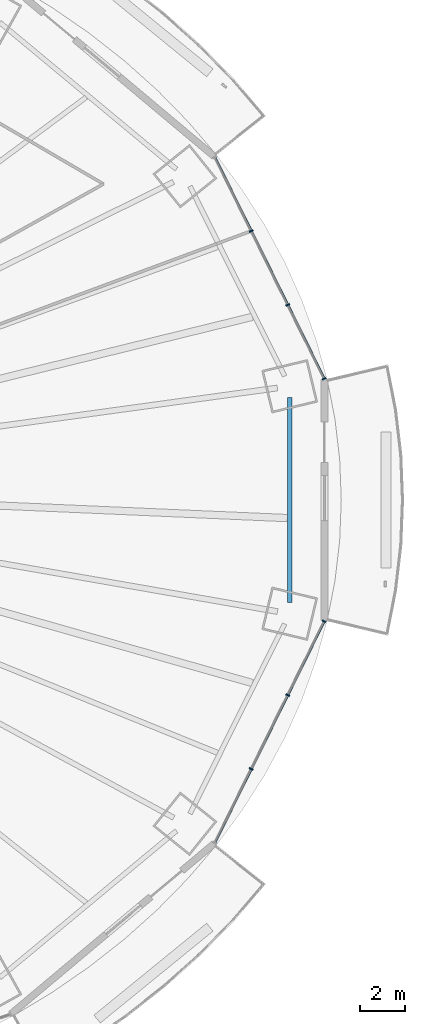
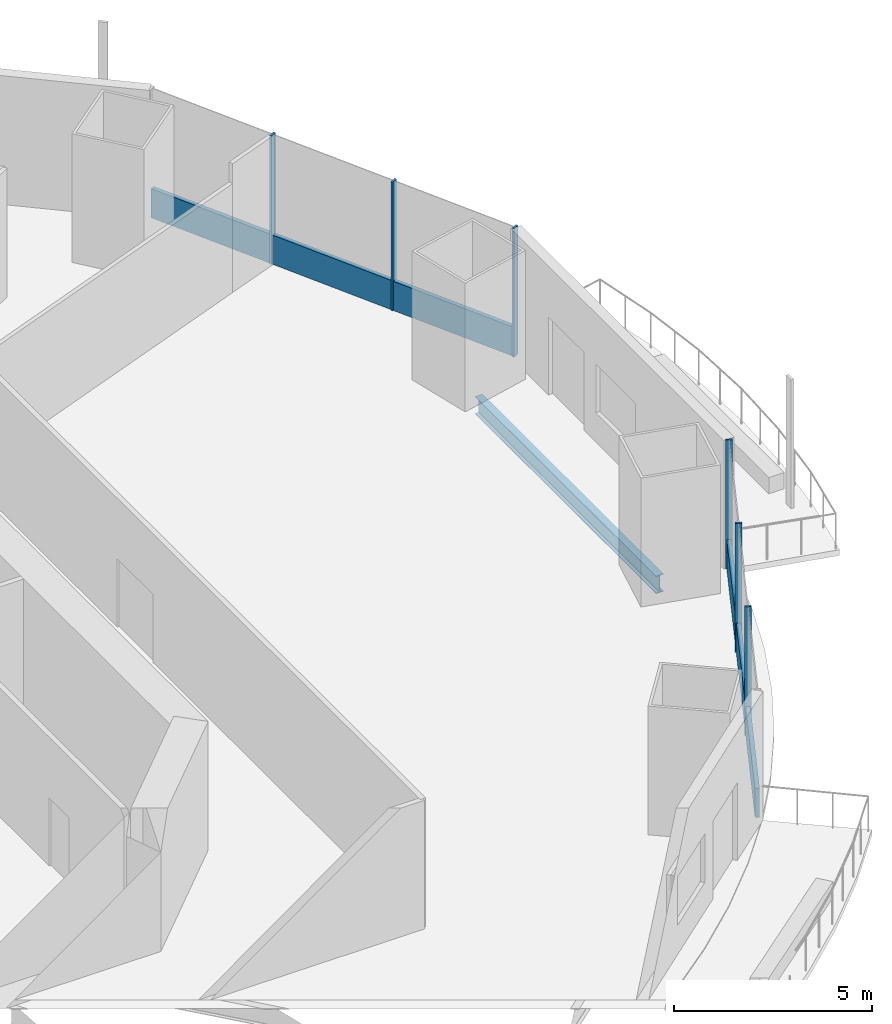
# One storey, part 10 of 21: 8 members, 1 beam, 2 elements without a shape of their own.
"""IFC4 building model written with IfcOpenShell, lengths in metres."""

import ifcopenshell
import ifcopenshell.guid

model = None  # the IFC model being written
_history = None  # IfcOwnerHistory: only IFC2X3 demands one
_inside = {}  # id of a spatial element -> (the spatial element, [elements in it])
_under = {}  # id of a project, library or spatial element -> (it, [spatial elements below it])
_declared = {}  # id of a project -> (the project, [libraries it declares])
_typed = {}  # id of a type object -> (the type object, [elements of that type])
_made_of = {}  # id of a material, layer set ... -> (it, [elements and type objects made of it])


def new_model(schema):
    """Start an empty IFC model of exactly this schema.

    Asked for "IFC4X3", IfcOpenShell would pick the latest addendum, in which some entities
    have other attributes; the version numbers below select the first issue.
    IFC2X3 requires an IfcOwnerHistory on every rooted entity: one is made here for all.
    """
    global model, _history
    if schema == "IFC4X3":
        model = ifcopenshell.file(schema_version=(4, 3, 0, 0))
    else:
        model = ifcopenshell.file(schema=schema)
    _inside.clear()
    _under.clear()
    _declared.clear()
    _typed.clear()
    _made_of.clear()
    _history = None
    if model.schema == "IFC2X3":
        org = make("IfcOrganization", Name="unknown")
        user = make(
            "IfcPersonAndOrganization",
            ThePerson=make("IfcPerson", FamilyName="unknown"),
            TheOrganization=org,
        )
        app = make(
            "IfcApplication",
            ApplicationDeveloper=org,
            Version="unknown",
            ApplicationFullName="unknown",
            ApplicationIdentifier="unknown",
        )
        _history = make(
            "IfcOwnerHistory",
            OwningUser=user,
            OwningApplication=app,
            ChangeAction="ADDED",
            CreationDate=0,
        )
    return model


def make(cls, **values):
    """One entity of the class cls with the attributes given. An attribute that is None is left unset."""
    return model.create_entity(
        cls, **{name: value for name, value in values.items() if value is not None}
    )


def rooted(cls, **values):
    """An entity with a GlobalId (a new one), such as an element, a storey or a relation."""
    return make(cls, GlobalId=ifcopenshell.guid.new(), OwnerHistory=_history, **values)


def si_unit(unit_type, name, prefix=None):
    """IfcSIUnit, for example si_unit("LENGTHUNIT", "METRE", prefix="MILLI")."""
    return make("IfcSIUnit", UnitType=unit_type, Prefix=prefix, Name=name)


def assignment(units):
    """IfcUnitAssignment: the units of a project."""
    return None if units is None else make("IfcUnitAssignment", Units=units)


def point(xyz):
    """IfcCartesianPoint."""
    return None if xyz is None else make("IfcCartesianPoint", Coordinates=xyz)


def direction(xyz):
    """IfcDirection."""
    return None if xyz is None else make("IfcDirection", DirectionRatios=xyz)


def frame(location, z_axis=None, x_axis=None):
    """IfcAxis2Placement3D, a coordinate frame: its origin and axes. An axis left out is left unset."""
    return make(
        "IfcAxis2Placement3D",
        Location=point(location),
        Axis=direction(z_axis),
        RefDirection=direction(x_axis),
    )


def frame_2d(location, x_axis=None):
    """IfcAxis2Placement2D, a coordinate frame in the plane: its origin and x axis."""
    return make(
        "IfcAxis2Placement2D", Location=point(location), RefDirection=direction(x_axis)
    )


def origin():
    """The frame at (0, 0, 0) with its axes left unset."""
    return frame((0.0, 0.0, 0.0))


def origin_2d():
    """The frame at (0, 0) in the plane with its x axis left unset."""
    return frame_2d((0.0, 0.0))


def place(relative_to, where):
    """IfcLocalPlacement: puts the frame where relative to a parent placement (None: the world)."""
    return make(
        "IfcLocalPlacement", PlacementRelTo=relative_to, RelativePlacement=where
    )


def context(
    kind, dimensions, precision=None, world=None, true_north=None, identifier=None
):
    """IfcGeometricRepresentationContext, for example the 3D "Model" context."""
    return make(
        "IfcGeometricRepresentationContext",
        ContextIdentifier=identifier,
        ContextType=kind,
        CoordinateSpaceDimension=dimensions,
        Precision=precision,
        WorldCoordinateSystem=world,
        TrueNorth=true_north,
    )


def subcontext(parent, identifier, kind, view, scale=None):
    """IfcGeometricRepresentationSubContext, for example "Body" below "Model"."""
    return make(
        "IfcGeometricRepresentationSubContext",
        ContextIdentifier=identifier,
        ContextType=kind,
        ParentContext=parent,
        TargetScale=scale,
        TargetView=view,
    )


def project(units=None, contexts=None):
    """IfcProject with its units and contexts."""
    return rooted(
        "IfcProject",
        Name="project",
        RepresentationContexts=contexts,
        UnitsInContext=assignment(units),
    )


def spatial(cls, under=None, at=None, **own):
    """A site, building, storey or space (cls), placed at a placement, below another one or the project."""
    s = rooted(cls, ObjectPlacement=at, **own)
    if under is not None:
        _under.setdefault(under.id(), (under, []))[1].append(s)
    return s


def profile(cls, at=None, kind="AREA", **sizes):
    """A parametric profile (cls). Its sizes go by their IFC names, for example OverallWidth=200.0."""
    return make(cls, ProfileType=kind, Position=at, **sizes)


def rectangle(**sizes):
    """IfcRectangleProfileDef."""
    return profile("IfcRectangleProfileDef", **sizes)


def i_section(**sizes):
    """IfcIShapeProfileDef."""
    return profile("IfcIShapeProfileDef", **sizes)


def extrude(swept, where, along, depth):
    """IfcExtrudedAreaSolid: the profile swept, set in the frame where, extruded along a direction by depth."""
    return make(
        "IfcExtrudedAreaSolid",
        SweptArea=swept,
        Position=where,
        ExtrudedDirection=direction(along),
        Depth=depth,
    )


def shape(context_of_items, identifier, shape_type, items):
    """IfcShapeRepresentation: the items that make up one representation, for example the "Body"."""
    return make(
        "IfcShapeRepresentation",
        ContextOfItems=context_of_items,
        RepresentationIdentifier=identifier,
        RepresentationType=shape_type,
        Items=items,
    )


def material(Name=None, Category=None):
    """IfcMaterial."""
    return make("IfcMaterial", Name=Name, Category=Category)


def material_profile(
    of_material, cross_section, Name=None, Category=None, Priority=None
):
    """IfcMaterialProfile: a cross section and its material."""
    return make(
        "IfcMaterialProfile",
        Name=Name,
        Material=of_material,
        Profile=cross_section,
        Priority=Priority,
        Category=Category,
    )


def profile_set(profiles, Name=None, composite=None):
    """IfcMaterialProfileSet."""
    return make(
        "IfcMaterialProfileSet",
        Name=Name,
        MaterialProfiles=profiles,
        CompositeProfile=composite,
    )


def made_of(thing, what):
    """Note that an element or type object is made of a material, layer set ...; save() writes the relation."""
    if what is not None:
        _made_of.setdefault(what.id(), (what, []))[1].append(thing)
    return thing


def type_object(cls, material=None, **own):
    """A type object (cls), such as IfcWallType, which elements share."""
    return made_of(rooted(cls, **own), material)


def element(
    cls,
    number,
    at=None,
    inside=None,
    cuts=None,
    type_object=None,
    material=None,
    context=None,
    identifier="Body",
    shape_type=None,
    held_by="IfcProductDefinitionShape",
    body=None,
    shapes=None,
    **own,
):
    """One element of the class cls, such as IfcWall. Its Tag is "e" and its number.

    at: its placement. inside: the storey or other place that contains it. cuts: it is an
    opening in that element (IfcRelVoidsElement). A single representation is given by context,
    identifier, shape_type and body (its items); several are given by shapes. held_by: the class
    of the entity that holds the representations. save() writes the other relations.
    """
    e = rooted(cls, Tag="e%d" % number, ObjectPlacement=at, **own)
    if body is not None:
        shapes = [shape(context, identifier, shape_type, body)]
    if shapes is not None:
        e.Representation = make(held_by, Representations=shapes)
    if inside is not None:
        _inside.setdefault(inside.id(), (inside, []))[1].append(e)
    if cuts is not None:
        rooted(
            "IfcRelVoidsElement", RelatingBuildingElement=cuts, RelatedOpeningElement=e
        )
    if type_object is not None:
        _typed.setdefault(type_object.id(), (type_object, []))[1].append(e)
    return made_of(e, material)


def aggregate(whole, parts):
    """IfcRelAggregates: a whole, such as a stair, and the parts it consists of."""
    return rooted("IfcRelAggregates", RelatingObject=whole, RelatedObjects=parts)


def save(model, path):
    """Write the relations noted so far, then the file.

    IfcRelAggregates (storeys below a building ...), IfcRelContainedInSpatialStructure (elements
    in a storey), IfcRelDefinesByType, IfcRelAssociatesMaterial and IfcRelDeclares: one each for
    every whole, place, type object, material and project.
    """
    for whole, parts in _under.values():
        aggregate(whole, parts)
    for where, things in _inside.values():
        rooted(
            "IfcRelContainedInSpatialStructure",
            RelatedElements=things,
            RelatingStructure=where,
        )
    for kind, things in _typed.values():
        rooted("IfcRelDefinesByType", RelatedObjects=things, RelatingType=kind)
    for what, things in _made_of.values():
        rooted("IfcRelAssociatesMaterial", RelatedObjects=things, RelatingMaterial=what)
    for by, libraries in _declared.values():
        rooted("IfcRelDeclares", RelatingContext=by, RelatedDefinitions=libraries)
    model.write(path)


model = new_model("IFC4")

# Units and contexts
model_context = context("Model", 3, precision=1e-05, world=origin(), true_north=direction((0.0, 1.0)))
body_context = subcontext(model_context, "Body", "Model", "MODEL_VIEW")
ifc_project = project(units=[si_unit("LENGTHUNIT", "METRE"), si_unit("AREAUNIT", "SQUARE_METRE"), si_unit("VOLUMEUNIT", "CUBIC_METRE"), si_unit("PLANEANGLEUNIT", "RADIAN"), si_unit("MASSUNIT", "GRAM", prefix="KILO")], contexts=[model_context])

# Site, building, storey
site_placement = place(None, origin())
site = spatial("IfcSite", under=ifc_project, at=site_placement, CompositionType="ELEMENT")
building_placement = place(site_placement, origin())
building = spatial("IfcBuilding", under=site, at=building_placement, Name="Marenthal Gate Tower", CompositionType="ELEMENT")
storey_placement = place(building_placement, frame((0.0, 0.0, 161.050048828125)))
storey = spatial("IfcBuildingStorey", under=building, at=storey_placement, Name="L34", CompositionType="ELEMENT", Elevation=161.050048828125)

# Curtain wall, members
ifc_material_1 = material(Name="Aluminium and glass", Category="aluminium")
curtain_wall_type = type_object("IfcCurtainWallType", Name="Curtain wall typical mid", PredefinedType="NOTDEFINED", material=ifc_material_1)
curtain_wall_1_placement = place(storey_placement, origin())
curtain_wall_1 = element("IfcCurtainWall", 1, at=curtain_wall_1_placement, inside=storey, type_object=curtain_wall_type, Name="Curtain wall L34 bay 1", PredefinedType="NOTDEFINED")
ifc_material_2 = material(Name="Aluminium", Category="aluminium")
ifc_material_profile_1 = material_profile(ifc_material_2, rectangle(XDim=0.179931640625, YDim=0.06005859375, at=origin_2d()), Name="60x180 aluminium mullion")
ifc_profile_set_1 = profile_set([ifc_material_profile_1], Name="Aluminium")
member_type_1 = type_object("IfcMemberType", Name="Mullion 60x180 typical mid", PredefinedType="MULLION", material=ifc_profile_set_1)
member_1_placement = place(storey_placement, frame((34.0537109375, 4.809814453125, 0.0), z_axis=(0.0, 0.0, 1.0), x_axis=(-0.896608747182, -0.442823615536, 0.0)))
member_1 = element("IfcMember", 2, at=member_1_placement, type_object=member_type_1, Name="Mullion L34 bay 1.1", PredefinedType="MULLION", context=body_context, shape_type="SweptSolid", body=[
    extrude(rectangle(XDim=0.179931640625, YDim=0.06005859375, at=origin_2d()), origin(), (0.0, 0.0, 1.0), 3.969970703125),
])
member_2_placement = place(storey_placement, frame((32.425048828125, 8.107421875, 0.0), z_axis=(0.0, 0.0, 1.0), x_axis=(-0.896608747182, -0.442823615536, 0.0)))
member_2 = element("IfcMember", 3, at=member_2_placement, type_object=member_type_1, Name="Mullion L34 bay 1.2", PredefinedType="MULLION", context=body_context, shape_type="SweptSolid", body=[
    extrude(rectangle(XDim=0.179931640625, YDim=0.06005859375, at=origin_2d()), origin(), (0.0, 0.0, 1.0), 3.969970703125),
])
member_3_placement = place(storey_placement, frame((30.79638671875, 11.40478515625, 0.0), z_axis=(0.0, 0.0, 1.0), x_axis=(-0.896608747182, -0.442823615536, 0.0)))
member_3 = element("IfcMember", 4, at=member_3_placement, type_object=member_type_1, Name="Mullion L34 bay 1.3", PredefinedType="MULLION", context=body_context, shape_type="SweptSolid", body=[
    extrude(rectangle(XDim=0.179931640625, YDim=0.06005859375, at=origin_2d()), origin(), (0.0, 0.0, 1.0), 3.969970703125),
])

curtain_wall_2_placement = place(storey_placement, origin())
curtain_wall_2 = element("IfcCurtainWall", 5, at=curtain_wall_2_placement, inside=storey, type_object=curtain_wall_type, Name="Curtain wall L34 bay 15", PredefinedType="NOTDEFINED")
member_4_placement = place(storey_placement, frame((30.79638671875, -12.604736328125, 0.0), z_axis=(0.0, 0.0, 1.0), x_axis=(-0.896608747182, 0.442823615536, 0.0)))
member_4 = element("IfcMember", 6, at=member_4_placement, type_object=member_type_1, Name="Mullion L34 bay 15.2", PredefinedType="MULLION", context=body_context, shape_type="SweptSolid", body=[
    extrude(rectangle(XDim=0.179931640625, YDim=0.06005859375, at=origin_2d()), origin(), (0.0, 0.0, 1.0), 3.969970703125),
])
member_5_placement = place(storey_placement, frame((32.425048828125, -9.307373046875, 0.0), z_axis=(0.0, 0.0, 1.0), x_axis=(-0.896608747182, 0.442823615536, 0.0)))
member_5 = element("IfcMember", 7, at=member_5_placement, type_object=member_type_1, Name="Mullion L34 bay 15.3", PredefinedType="MULLION", context=body_context, shape_type="SweptSolid", body=[
    extrude(rectangle(XDim=0.179931640625, YDim=0.06005859375, at=origin_2d()), origin(), (0.0, 0.0, 1.0), 3.969970703125),
])
member_6_placement = place(storey_placement, frame((34.0537109375, -6.009765625, 0.0), z_axis=(0.0, 0.0, 1.0), x_axis=(-0.896608747182, 0.442823615536, 0.0)))
member_6 = element("IfcMember", 8, at=member_6_placement, type_object=member_type_1, Name="Mullion L34 bay 15.4", PredefinedType="MULLION", context=body_context, shape_type="SweptSolid", body=[
    extrude(rectangle(XDim=0.179931640625, YDim=0.06005859375, at=origin_2d()), origin(), (0.0, 0.0, 1.0), 3.969970703125),
])

# Member
ifc_material_3 = material(Name="Aluminium", Category="aluminium")
ifc_material_profile_2 = material_profile(ifc_material_3, rectangle(XDim=0.1201171875, YDim=0.89990234375, at=origin_2d()), Name="120x900 aluminium transom")
ifc_profile_set_2 = profile_set([ifc_material_profile_2], Name="Aluminium")
member_type_2 = type_object("IfcMemberType", Name="Transom 120x900 typical mid", PredefinedType="USERDEFINED", material=ifc_profile_set_2)
member_7_placement = place(storey_placement, frame((34.040283203125, 4.836669921875, 0.449951171875), z_axis=(-0.442811889728, 0.896614538314, 0.0), x_axis=(-0.896614538314, -0.442811889728, 0.0)))
member_7 = element("IfcMember", 9, at=member_7_placement, type_object=member_type_2, Name="Transom L34 bay 1", ObjectType="TRANSOM", PredefinedType="USERDEFINED", context=body_context, shape_type="SweptSolid", body=[
    extrude(rectangle(XDim=0.1201171875, YDim=0.89990234375, at=origin_2d()), origin(), (0.0, 0.0, 1.0), 10.973388671875),
])

aggregate(curtain_wall_1, [member_1, member_2, member_3, member_7])

member_8_placement = place(storey_placement, frame((29.18115234375, -15.87548828125, 0.449951171875), z_axis=(0.442811889728, 0.896614538314, 0.0), x_axis=(-0.896614538314, 0.442811889728, 0.0)))
member_8 = element("IfcMember", 10, at=member_8_placement, type_object=member_type_2, Name="Transom L34 bay 15", ObjectType="TRANSOM", PredefinedType="USERDEFINED", context=body_context, shape_type="SweptSolid", body=[
    extrude(rectangle(XDim=0.1201171875, YDim=0.89990234375, at=origin_2d()), origin(), (0.0, 0.0, 1.0), 10.973388671875),
])

aggregate(curtain_wall_2, [member_4, member_5, member_6, member_8])

# Beam
ifc_material_4 = material(Name="Steel S355", Category="steel")
ifc_material_profile_3 = material_profile(ifc_material_4, i_section(OverallWidth=0.2119140625, OverallDepth=0.5439453125, WebThickness=0.01318359375, FlangeThickness=0.021240234375, FilletRadius=0.0126953125, at=origin_2d()), Name="W530X123")
ifc_profile_set_3 = profile_set([ifc_material_profile_3], Name="Steel S355")
beam_type = type_object("IfcBeamType", Name="W530X123 beam", PredefinedType="BEAM", material=ifc_profile_set_3)
beam_placement = place(storey_placement, frame((32.51708984375, -5.172119140625, -0.4521484375), z_axis=(0.0, 1.0, 0.0), x_axis=(-1.0, 0.0, 0.0)))
element("IfcBeam", 11, at=beam_placement, inside=storey, type_object=beam_type, Name="BM-L34-56", PredefinedType="BEAM", context=body_context, shape_type="SweptSolid", body=[
    extrude(i_section(OverallWidth=0.2119140625, OverallDepth=0.5439453125, WebThickness=0.01318359375, FlangeThickness=0.021240234375, FilletRadius=0.0126953125, at=origin_2d()), origin(), (0.0, 0.0, 1.0), 9.144287109375),
])

save(model, "model.ifc")
